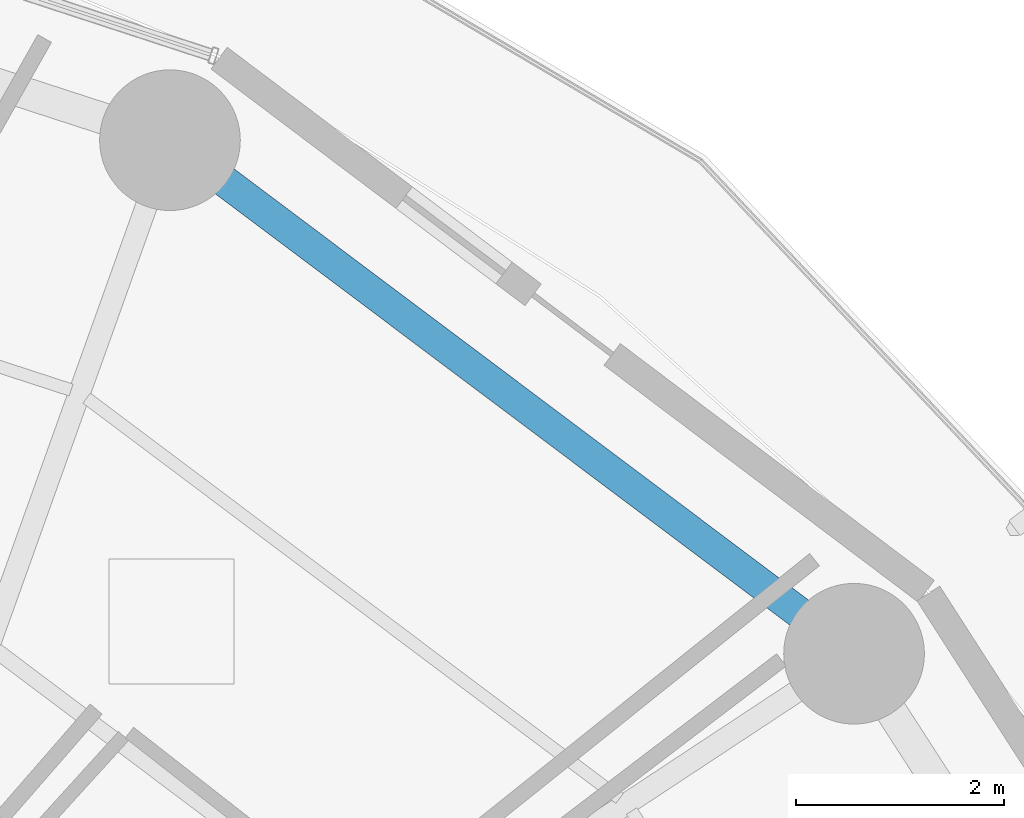
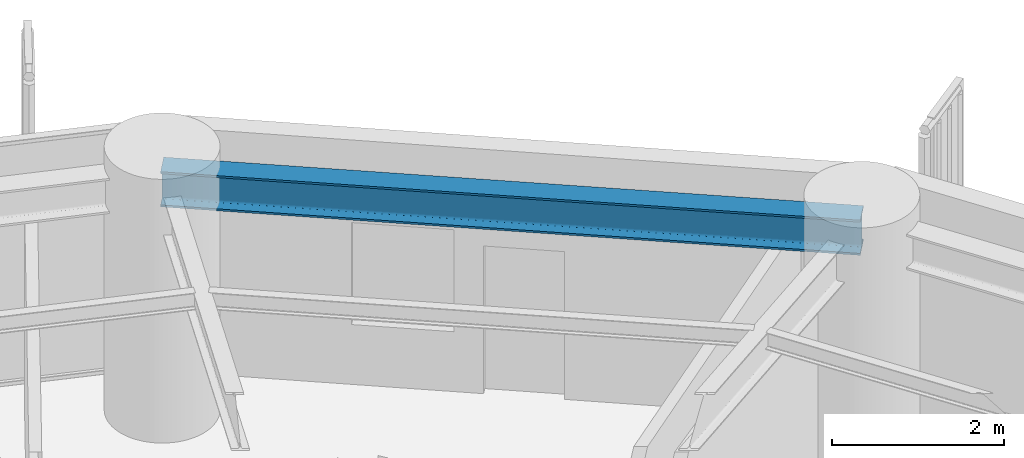
# One storey, part 26 of 37: 1 beam.
"""IFC4 building model written with IfcOpenShell, lengths in metres."""

import ifcopenshell
import ifcopenshell.guid

model = None  # the IFC model being written
_history = None  # IfcOwnerHistory: only IFC2X3 demands one
_inside = {}  # id of a spatial element -> (the spatial element, [elements in it])
_under = {}  # id of a project, library or spatial element -> (it, [spatial elements below it])
_declared = {}  # id of a project -> (the project, [libraries it declares])
_typed = {}  # id of a type object -> (the type object, [elements of that type])
_made_of = {}  # id of a material, layer set ... -> (it, [elements and type objects made of it])


def new_model(schema):
    """Start an empty IFC model of exactly this schema.

    Asked for "IFC4X3", IfcOpenShell would pick the latest addendum, in which some entities
    have other attributes; the version numbers below select the first issue.
    IFC2X3 requires an IfcOwnerHistory on every rooted entity: one is made here for all.
    """
    global model, _history
    if schema == "IFC4X3":
        model = ifcopenshell.file(schema_version=(4, 3, 0, 0))
    else:
        model = ifcopenshell.file(schema=schema)
    _inside.clear()
    _under.clear()
    _declared.clear()
    _typed.clear()
    _made_of.clear()
    _history = None
    if model.schema == "IFC2X3":
        org = make("IfcOrganization", Name="unknown")
        user = make(
            "IfcPersonAndOrganization",
            ThePerson=make("IfcPerson", FamilyName="unknown"),
            TheOrganization=org,
        )
        app = make(
            "IfcApplication",
            ApplicationDeveloper=org,
            Version="unknown",
            ApplicationFullName="unknown",
            ApplicationIdentifier="unknown",
        )
        _history = make(
            "IfcOwnerHistory",
            OwningUser=user,
            OwningApplication=app,
            ChangeAction="ADDED",
            CreationDate=0,
        )
    return model


def make(cls, **values):
    """One entity of the class cls with the attributes given. An attribute that is None is left unset."""
    return model.create_entity(
        cls, **{name: value for name, value in values.items() if value is not None}
    )


def rooted(cls, **values):
    """An entity with a GlobalId (a new one), such as an element, a storey or a relation."""
    return make(cls, GlobalId=ifcopenshell.guid.new(), OwnerHistory=_history, **values)


def si_unit(unit_type, name, prefix=None):
    """IfcSIUnit, for example si_unit("LENGTHUNIT", "METRE", prefix="MILLI")."""
    return make("IfcSIUnit", UnitType=unit_type, Prefix=prefix, Name=name)


def assignment(units):
    """IfcUnitAssignment: the units of a project."""
    return None if units is None else make("IfcUnitAssignment", Units=units)


def point(xyz):
    """IfcCartesianPoint."""
    return None if xyz is None else make("IfcCartesianPoint", Coordinates=xyz)


def direction(xyz):
    """IfcDirection."""
    return None if xyz is None else make("IfcDirection", DirectionRatios=xyz)


def frame(location, z_axis=None, x_axis=None):
    """IfcAxis2Placement3D, a coordinate frame: its origin and axes. An axis left out is left unset."""
    return make(
        "IfcAxis2Placement3D",
        Location=point(location),
        Axis=direction(z_axis),
        RefDirection=direction(x_axis),
    )


def frame_2d(location, x_axis=None):
    """IfcAxis2Placement2D, a coordinate frame in the plane: its origin and x axis."""
    return make(
        "IfcAxis2Placement2D", Location=point(location), RefDirection=direction(x_axis)
    )


def origin():
    """The frame at (0, 0, 0) with its axes left unset."""
    return frame((0.0, 0.0, 0.0))


def origin_2d():
    """The frame at (0, 0) in the plane with its x axis left unset."""
    return frame_2d((0.0, 0.0))


def place(relative_to, where):
    """IfcLocalPlacement: puts the frame where relative to a parent placement (None: the world)."""
    return make(
        "IfcLocalPlacement", PlacementRelTo=relative_to, RelativePlacement=where
    )


def context(
    kind, dimensions, precision=None, world=None, true_north=None, identifier=None
):
    """IfcGeometricRepresentationContext, for example the 3D "Model" context."""
    return make(
        "IfcGeometricRepresentationContext",
        ContextIdentifier=identifier,
        ContextType=kind,
        CoordinateSpaceDimension=dimensions,
        Precision=precision,
        WorldCoordinateSystem=world,
        TrueNorth=true_north,
    )


def subcontext(parent, identifier, kind, view, scale=None):
    """IfcGeometricRepresentationSubContext, for example "Body" below "Model"."""
    return make(
        "IfcGeometricRepresentationSubContext",
        ContextIdentifier=identifier,
        ContextType=kind,
        ParentContext=parent,
        TargetScale=scale,
        TargetView=view,
    )


def project(units=None, contexts=None):
    """IfcProject with its units and contexts."""
    return rooted(
        "IfcProject",
        Name="project",
        RepresentationContexts=contexts,
        UnitsInContext=assignment(units),
    )


def spatial(cls, under=None, at=None, **own):
    """A site, building, storey or space (cls), placed at a placement, below another one or the project."""
    s = rooted(cls, ObjectPlacement=at, **own)
    if under is not None:
        _under.setdefault(under.id(), (under, []))[1].append(s)
    return s


def profile(cls, at=None, kind="AREA", **sizes):
    """A parametric profile (cls). Its sizes go by their IFC names, for example OverallWidth=200.0."""
    return make(cls, ProfileType=kind, Position=at, **sizes)


def i_section(**sizes):
    """IfcIShapeProfileDef."""
    return profile("IfcIShapeProfileDef", **sizes)


def extrude(swept, where, along, depth):
    """IfcExtrudedAreaSolid: the profile swept, set in the frame where, extruded along a direction by depth."""
    return make(
        "IfcExtrudedAreaSolid",
        SweptArea=swept,
        Position=where,
        ExtrudedDirection=direction(along),
        Depth=depth,
    )


def shape(context_of_items, identifier, shape_type, items):
    """IfcShapeRepresentation: the items that make up one representation, for example the "Body"."""
    return make(
        "IfcShapeRepresentation",
        ContextOfItems=context_of_items,
        RepresentationIdentifier=identifier,
        RepresentationType=shape_type,
        Items=items,
    )


def material(Name=None, Category=None):
    """IfcMaterial."""
    return make("IfcMaterial", Name=Name, Category=Category)


def material_profile(
    of_material, cross_section, Name=None, Category=None, Priority=None
):
    """IfcMaterialProfile: a cross section and its material."""
    return make(
        "IfcMaterialProfile",
        Name=Name,
        Material=of_material,
        Profile=cross_section,
        Priority=Priority,
        Category=Category,
    )


def profile_set(profiles, Name=None, composite=None):
    """IfcMaterialProfileSet."""
    return make(
        "IfcMaterialProfileSet",
        Name=Name,
        MaterialProfiles=profiles,
        CompositeProfile=composite,
    )


def made_of(thing, what):
    """Note that an element or type object is made of a material, layer set ...; save() writes the relation."""
    if what is not None:
        _made_of.setdefault(what.id(), (what, []))[1].append(thing)
    return thing


def type_object(cls, material=None, **own):
    """A type object (cls), such as IfcWallType, which elements share."""
    return made_of(rooted(cls, **own), material)


def element(
    cls,
    number,
    at=None,
    inside=None,
    cuts=None,
    type_object=None,
    material=None,
    context=None,
    identifier="Body",
    shape_type=None,
    held_by="IfcProductDefinitionShape",
    body=None,
    shapes=None,
    **own,
):
    """One element of the class cls, such as IfcWall. Its Tag is "e" and its number.

    at: its placement. inside: the storey or other place that contains it. cuts: it is an
    opening in that element (IfcRelVoidsElement). A single representation is given by context,
    identifier, shape_type and body (its items); several are given by shapes. held_by: the class
    of the entity that holds the representations. save() writes the other relations.
    """
    e = rooted(cls, Tag="e%d" % number, ObjectPlacement=at, **own)
    if body is not None:
        shapes = [shape(context, identifier, shape_type, body)]
    if shapes is not None:
        e.Representation = make(held_by, Representations=shapes)
    if inside is not None:
        _inside.setdefault(inside.id(), (inside, []))[1].append(e)
    if cuts is not None:
        rooted(
            "IfcRelVoidsElement", RelatingBuildingElement=cuts, RelatedOpeningElement=e
        )
    if type_object is not None:
        _typed.setdefault(type_object.id(), (type_object, []))[1].append(e)
    return made_of(e, material)


def aggregate(whole, parts):
    """IfcRelAggregates: a whole, such as a stair, and the parts it consists of."""
    return rooted("IfcRelAggregates", RelatingObject=whole, RelatedObjects=parts)


def save(model, path):
    """Write the relations noted so far, then the file.

    IfcRelAggregates (storeys below a building ...), IfcRelContainedInSpatialStructure (elements
    in a storey), IfcRelDefinesByType, IfcRelAssociatesMaterial and IfcRelDeclares: one each for
    every whole, place, type object, material and project.
    """
    for whole, parts in _under.values():
        aggregate(whole, parts)
    for where, things in _inside.values():
        rooted(
            "IfcRelContainedInSpatialStructure",
            RelatedElements=things,
            RelatingStructure=where,
        )
    for kind, things in _typed.values():
        rooted("IfcRelDefinesByType", RelatedObjects=things, RelatingType=kind)
    for what, things in _made_of.values():
        rooted("IfcRelAssociatesMaterial", RelatedObjects=things, RelatingMaterial=what)
    for by, libraries in _declared.values():
        rooted("IfcRelDeclares", RelatingContext=by, RelatedDefinitions=libraries)
    model.write(path)


model = new_model("IFC4")

# Units and contexts
model_context = context("Model", 3, precision=1e-05, world=origin(), true_north=direction((0.0, 1.0)))
body_context = subcontext(model_context, "Body", "Model", "MODEL_VIEW")
ifc_project = project(units=[si_unit("LENGTHUNIT", "METRE"), si_unit("AREAUNIT", "SQUARE_METRE"), si_unit("VOLUMEUNIT", "CUBIC_METRE"), si_unit("PLANEANGLEUNIT", "RADIAN"), si_unit("MASSUNIT", "GRAM", prefix="KILO")], contexts=[model_context])

# Site, building, storey
site_placement = place(None, origin())
site = spatial("IfcSite", under=ifc_project, at=site_placement, CompositionType="ELEMENT")
building_placement = place(site_placement, origin())
building = spatial("IfcBuilding", under=site, at=building_placement, Name="Kelanora Arch Commons", CompositionType="ELEMENT")
storey_placement = place(building_placement, frame((0.0, 0.0, 110.10009765625)))
storey = spatial("IfcBuildingStorey", under=building, at=storey_placement, Name="L28", CompositionType="ELEMENT", Elevation=110.10009765625)

# Beam
ifc_material = material(Name="Steel S355", Category="steel")
ifc_material_profile = material_profile(ifc_material, i_section(OverallWidth=0.300048828125, OverallDepth=0.5, WebThickness=0.014404296875, FlangeThickness=0.028076171875, FilletRadius=0.027099609375, at=origin_2d()), Name="HEB500")
ifc_profile_set = profile_set([ifc_material_profile], Name="Steel S355")
beam_type = type_object("IfcBeamType", Name="BM-SPN-Z2", PredefinedType="SPANDREL", material=ifc_profile_set)
beam_placement = place(storey_placement, frame((92.906005859375, 72.19287109375, 3.239990234375), z_axis=(-0.799735861602, 0.600352023123, 0.0), x_axis=(-0.600352023123, -0.799735861602, 0.0)))
element("IfcBeam", 1, at=beam_placement, inside=storey, type_object=beam_type, Name="Perimeter Spandrel Beam BS-04 L28", PredefinedType="SPANDREL", context=body_context, shape_type="SweptSolid", body=[
    extrude(i_section(OverallWidth=0.300048828125, OverallDepth=0.5, WebThickness=0.014404296875, FlangeThickness=0.028076171875, FilletRadius=0.027099609375, at=origin_2d()), origin(), (0.0, 0.0, 1.0), 8.210205078125),
])

save(model, "model.ifc")
